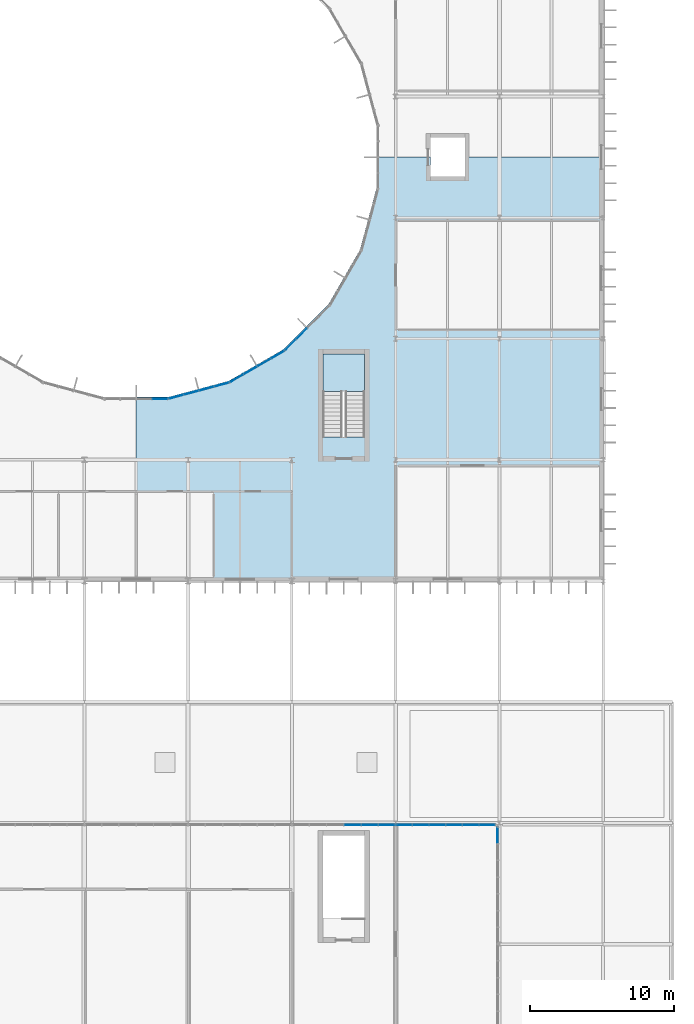
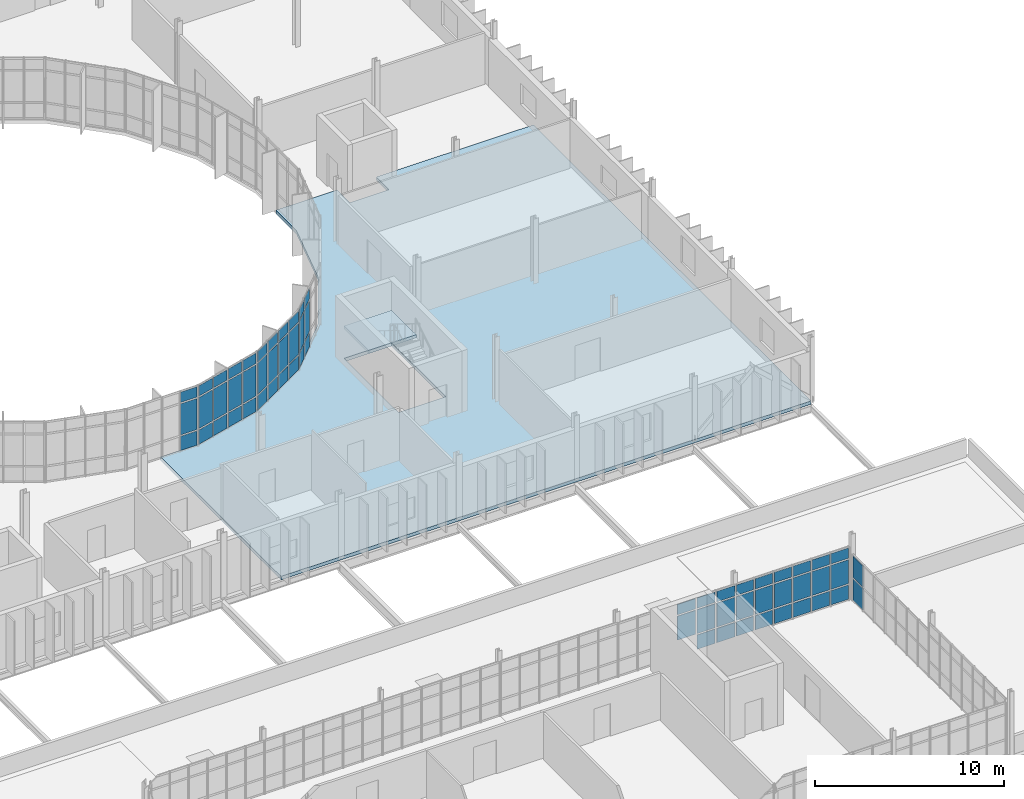
# One storey, part 81 of 119: 61 plates, 2 slabs, 8 elements without a shape of their own.
"""IFC4 building model written with IfcOpenShell, lengths in metres."""

from ifc_helpers import new_model, si_unit, direction, frame, origin, origin_2d, place, context, subcontext, project, spatial, polyline, rectangle, outline, extrude, material, layer, layer_set, type_object, element, aggregate, save


model = new_model("IFC4")

# Units and contexts
model_context = context("Model", 3, precision=1e-05, world=origin(), true_north=direction((0.0, 1.0)))
body_context = subcontext(model_context, "Body", "Model", "MODEL_VIEW")
ifc_project = project(units=[si_unit("LENGTHUNIT", "METRE"), si_unit("AREAUNIT", "SQUARE_METRE"), si_unit("VOLUMEUNIT", "CUBIC_METRE"), si_unit("PLANEANGLEUNIT", "RADIAN"), si_unit("MASSUNIT", "GRAM", prefix="KILO")], contexts=[model_context])

# Site, building, storey
site_placement = place(None, origin())
site = spatial("IfcSite", under=ifc_project, at=site_placement, CompositionType="ELEMENT")
building_placement = place(site_placement, origin())
building = spatial("IfcBuilding", under=site, at=building_placement, Name="Qelthora Terrace Specialist Clinic", CompositionType="ELEMENT")
storey_placement = place(building_placement, frame((0.0, 0.0, 4.800048828125)))
storey = spatial("IfcBuildingStorey", under=building, at=storey_placement, Name="L01", CompositionType="ELEMENT", Elevation=4.800048828125)

# Curtain wall, plates
ifc_material_1 = material(Name="Aluminium anodized bronze", Category="aluminium")
curtain_wall_type_1 = type_object("IfcCurtainWallType", Name="CW-CRTE-UPP", PredefinedType="NOTDEFINED", material=ifc_material_1)
curtain_wall_1_placement = place(storey_placement, origin())
curtain_wall_1 = element("IfcCurtainWall", 1, at=curtain_wall_1_placement, inside=storey, type_object=curtain_wall_type_1, Name="Curtain wall CW-CE-L01-18", PredefinedType="NOTDEFINED")
ifc_material_2 = material(Name="Low-E triple-silver insulating glass", Category="glass")
ifc_layer_1 = layer(ifc_material_2, 0.035888671875)
ifc_layer_set_1 = layer_set([ifc_layer_1], Name="Low-E triple-silver insulating glass")
plate_type = type_object("IfcPlateType", Name="CWP-IGU-36", PredefinedType="CURTAIN_PANEL", material=ifc_layer_set_1)
plate_1_placement = place(storey_placement, frame((127.64453125, 46.2236328125, 0.0849609375), z_axis=(0.0, 0.0, 1.0), x_axis=(1.0, 0.0, 0.0)))
plate_1 = element("IfcPlate", 2, at=plate_1_placement, type_object=plate_type, Name="CW-CE-L01-18 glazed panel 10", PredefinedType="CURTAIN_PANEL", context=body_context, shape_type="SweptSolid", body=[
    extrude(rectangle(XDim=0.996337890625, YDim=0.035888671875, at=origin_2d()), origin(), (0.0, 0.0, 1.0), 0.919921875),
])
plate_2_placement = place(storey_placement, frame((127.64453125, 46.2236328125, 1.094970703125), z_axis=(0.0, 0.0, 1.0), x_axis=(1.0, 0.0, 0.0)))
plate_2 = element("IfcPlate", 3, at=plate_2_placement, type_object=plate_type, Name="CW-CE-L01-18 glazed panel 11", PredefinedType="CURTAIN_PANEL", context=body_context, shape_type="SweptSolid", body=[
    extrude(rectangle(XDim=0.996337890625, YDim=0.035888671875, at=origin_2d()), origin(), (0.0, 0.0, 1.0), 2.0048828125),
])
plate_3_placement = place(storey_placement, frame((127.64453125, 46.2236328125, 3.18994140625), z_axis=(0.0, 0.0, 1.0), x_axis=(1.0, 0.0, 0.0)))
plate_3 = element("IfcPlate", 4, at=plate_3_placement, type_object=plate_type, Name="CW-CE-L01-18 glazed panel 12", PredefinedType="CURTAIN_PANEL", context=body_context, shape_type="SweptSolid", body=[
    extrude(rectangle(XDim=0.996337890625, YDim=0.035888671875, at=origin_2d()), origin(), (0.0, 0.0, 1.0), 0.669921875),
])
aggregate(curtain_wall_1, [plate_1, plate_2, plate_3])

curtain_wall_2_placement = place(storey_placement, origin())
curtain_wall_2 = element("IfcCurtainWall", 5, at=curtain_wall_2_placement, inside=storey, type_object=curtain_wall_type_1, Name="Curtain wall CW-CE-L01-19", PredefinedType="NOTDEFINED")
plate_4_placement = place(storey_placement, frame((128.75341796875, 46.36962890625, 0.0849609375), z_axis=(0.0, 0.0, 1.0), x_axis=(0.965925826289, 0.258819045103, 0.0)))
plate_4 = element("IfcPlate", 6, at=plate_4_placement, type_object=plate_type, Name="CW-CE-L01-19 glazed panel 1", PredefinedType="CURTAIN_PANEL", context=body_context, shape_type="SweptSolid", body=[
    extrude(rectangle(XDim=0.996337890625, YDim=0.035888671875, at=origin_2d()), origin(), (0.0, 0.0, 1.0), 0.919921875),
])
plate_5_placement = place(storey_placement, frame((128.75341796875, 46.36962890625, 1.094970703125), z_axis=(0.0, 0.0, 1.0), x_axis=(0.965925826289, 0.258819045103, 0.0)))
plate_5 = element("IfcPlate", 7, at=plate_5_placement, type_object=plate_type, Name="CW-CE-L01-19 glazed panel 2", PredefinedType="CURTAIN_PANEL", context=body_context, shape_type="SweptSolid", body=[
    extrude(rectangle(XDim=0.996337890625, YDim=0.035888671875, at=origin_2d()), origin(), (0.0, 0.0, 1.0), 2.0048828125),
])
plate_6_placement = place(storey_placement, frame((128.75341796875, 46.36962890625, 3.18994140625), z_axis=(0.0, 0.0, 1.0), x_axis=(0.965925826289, 0.258819045103, 0.0)))
plate_6 = element("IfcPlate", 8, at=plate_6_placement, type_object=plate_type, Name="CW-CE-L01-19 glazed panel 3", PredefinedType="CURTAIN_PANEL", context=body_context, shape_type="SweptSolid", body=[
    extrude(rectangle(XDim=0.996337890625, YDim=0.035888671875, at=origin_2d()), origin(), (0.0, 0.0, 1.0), 0.669921875),
])
plate_7_placement = place(storey_placement, frame((129.8125, 46.653564453125, 0.0849609375), z_axis=(0.0, 0.0, 1.0), x_axis=(0.965925826289, 0.258819045103, 0.0)))
plate_7 = element("IfcPlate", 9, at=plate_7_placement, type_object=plate_type, Name="CW-CE-L01-19 glazed panel 4", PredefinedType="CURTAIN_PANEL", context=body_context, shape_type="SweptSolid", body=[
    extrude(rectangle(XDim=0.996337890625, YDim=0.035888671875, at=origin_2d()), origin(), (0.0, 0.0, 1.0), 0.919921875),
])
plate_8_placement = place(storey_placement, frame((129.8125, 46.653564453125, 1.094970703125), z_axis=(0.0, 0.0, 1.0), x_axis=(0.965925826289, 0.258819045103, 0.0)))
plate_8 = element("IfcPlate", 10, at=plate_8_placement, type_object=plate_type, Name="CW-CE-L01-19 glazed panel 5", PredefinedType="CURTAIN_PANEL", context=body_context, shape_type="SweptSolid", body=[
    extrude(rectangle(XDim=0.996337890625, YDim=0.035888671875, at=origin_2d()), origin(), (0.0, 0.0, 1.0), 2.0048828125),
])
plate_9_placement = place(storey_placement, frame((129.8125, 46.653564453125, 3.18994140625), z_axis=(0.0, 0.0, 1.0), x_axis=(0.965925826289, 0.258819045103, 0.0)))
plate_9 = element("IfcPlate", 11, at=plate_9_placement, type_object=plate_type, Name="CW-CE-L01-19 glazed panel 6", PredefinedType="CURTAIN_PANEL", context=body_context, shape_type="SweptSolid", body=[
    extrude(rectangle(XDim=0.996337890625, YDim=0.035888671875, at=origin_2d()), origin(), (0.0, 0.0, 1.0), 0.669921875),
])
plate_10_placement = place(storey_placement, frame((130.87158203125, 46.937255859375, 0.0849609375), z_axis=(0.0, 0.0, 1.0), x_axis=(0.965925826289, 0.258819045103, 0.0)))
plate_10 = element("IfcPlate", 12, at=plate_10_placement, type_object=plate_type, Name="CW-CE-L01-19 glazed panel 7", PredefinedType="CURTAIN_PANEL", context=body_context, shape_type="SweptSolid", body=[
    extrude(rectangle(XDim=0.996337890625, YDim=0.035888671875, at=origin_2d()), origin(), (0.0, 0.0, 1.0), 0.919921875),
])
plate_11_placement = place(storey_placement, frame((130.87158203125, 46.937255859375, 1.094970703125), z_axis=(0.0, 0.0, 1.0), x_axis=(0.965925826289, 0.258819045103, 0.0)))
plate_11 = element("IfcPlate", 13, at=plate_11_placement, type_object=plate_type, Name="CW-CE-L01-19 glazed panel 8", PredefinedType="CURTAIN_PANEL", context=body_context, shape_type="SweptSolid", body=[
    extrude(rectangle(XDim=0.996337890625, YDim=0.035888671875, at=origin_2d()), origin(), (0.0, 0.0, 1.0), 2.0048828125),
])
plate_12_placement = place(storey_placement, frame((130.87158203125, 46.937255859375, 3.18994140625), z_axis=(0.0, 0.0, 1.0), x_axis=(0.965925826289, 0.258819045103, 0.0)))
plate_12 = element("IfcPlate", 14, at=plate_12_placement, type_object=plate_type, Name="CW-CE-L01-19 glazed panel 9", PredefinedType="CURTAIN_PANEL", context=body_context, shape_type="SweptSolid", body=[
    extrude(rectangle(XDim=0.996337890625, YDim=0.035888671875, at=origin_2d()), origin(), (0.0, 0.0, 1.0), 0.669921875),
])
plate_13_placement = place(storey_placement, frame((131.9306640625, 47.220947265625, 0.0849609375), z_axis=(0.0, 0.0, 1.0), x_axis=(0.965925826289, 0.258819045103, 0.0)))
plate_13 = element("IfcPlate", 15, at=plate_13_placement, type_object=plate_type, Name="CW-CE-L01-19 glazed panel 10", PredefinedType="CURTAIN_PANEL", context=body_context, shape_type="SweptSolid", body=[
    extrude(rectangle(XDim=0.996337890625, YDim=0.035888671875, at=origin_2d()), origin(), (0.0, 0.0, 1.0), 0.919921875),
])
plate_14_placement = place(storey_placement, frame((131.9306640625, 47.220947265625, 1.094970703125), z_axis=(0.0, 0.0, 1.0), x_axis=(0.965925826289, 0.258819045103, 0.0)))
plate_14 = element("IfcPlate", 16, at=plate_14_placement, type_object=plate_type, Name="CW-CE-L01-19 glazed panel 11", PredefinedType="CURTAIN_PANEL", context=body_context, shape_type="SweptSolid", body=[
    extrude(rectangle(XDim=0.996337890625, YDim=0.035888671875, at=origin_2d()), origin(), (0.0, 0.0, 1.0), 2.0048828125),
])
plate_15_placement = place(storey_placement, frame((131.9306640625, 47.220947265625, 3.18994140625), z_axis=(0.0, 0.0, 1.0), x_axis=(0.965925826289, 0.258819045103, 0.0)))
plate_15 = element("IfcPlate", 17, at=plate_15_placement, type_object=plate_type, Name="CW-CE-L01-19 glazed panel 12", PredefinedType="CURTAIN_PANEL", context=body_context, shape_type="SweptSolid", body=[
    extrude(rectangle(XDim=0.996337890625, YDim=0.035888671875, at=origin_2d()), origin(), (0.0, 0.0, 1.0), 0.669921875),
])
aggregate(curtain_wall_2, [plate_4, plate_5, plate_6, plate_7, plate_8, plate_9, plate_10, plate_11, plate_12, plate_13, plate_14, plate_15])

curtain_wall_3_placement = place(storey_placement, origin())
curtain_wall_3 = element("IfcCurtainWall", 18, at=curtain_wall_3_placement, inside=storey, type_object=curtain_wall_type_1, Name="Curtain wall CW-CE-L01-20", PredefinedType="NOTDEFINED")
plate_16_placement = place(storey_placement, frame((132.9638671875, 47.64892578125, 0.0849609375), z_axis=(0.0, 0.0, 1.0), x_axis=(0.866025403784, 0.5, 0.0)))
plate_16 = element("IfcPlate", 19, at=plate_16_placement, type_object=plate_type, Name="CW-CE-L01-20 glazed panel 1", PredefinedType="CURTAIN_PANEL", context=body_context, shape_type="SweptSolid", body=[
    extrude(rectangle(XDim=0.996337890625, YDim=0.035888671875, at=origin_2d()), origin(), (0.0, 0.0, 1.0), 0.919921875),
])
plate_17_placement = place(storey_placement, frame((132.9638671875, 47.64892578125, 1.094970703125), z_axis=(0.0, 0.0, 1.0), x_axis=(0.866025403784, 0.5, 0.0)))
plate_17 = element("IfcPlate", 20, at=plate_17_placement, type_object=plate_type, Name="CW-CE-L01-20 glazed panel 2", PredefinedType="CURTAIN_PANEL", context=body_context, shape_type="SweptSolid", body=[
    extrude(rectangle(XDim=0.996337890625, YDim=0.035888671875, at=origin_2d()), origin(), (0.0, 0.0, 1.0), 2.0048828125),
])
plate_18_placement = place(storey_placement, frame((132.9638671875, 47.64892578125, 3.18994140625), z_axis=(0.0, 0.0, 1.0), x_axis=(0.866025403784, 0.5, 0.0)))
plate_18 = element("IfcPlate", 21, at=plate_18_placement, type_object=plate_type, Name="CW-CE-L01-20 glazed panel 3", PredefinedType="CURTAIN_PANEL", context=body_context, shape_type="SweptSolid", body=[
    extrude(rectangle(XDim=0.996337890625, YDim=0.035888671875, at=origin_2d()), origin(), (0.0, 0.0, 1.0), 0.669921875),
])
plate_19_placement = place(storey_placement, frame((133.913330078125, 48.197265625, 0.0849609375), z_axis=(0.0, 0.0, 1.0), x_axis=(0.866025403784, 0.5, 0.0)))
plate_19 = element("IfcPlate", 22, at=plate_19_placement, type_object=plate_type, Name="CW-CE-L01-20 glazed panel 4", PredefinedType="CURTAIN_PANEL", context=body_context, shape_type="SweptSolid", body=[
    extrude(rectangle(XDim=0.996337890625, YDim=0.035888671875, at=origin_2d()), origin(), (0.0, 0.0, 1.0), 0.919921875),
])
plate_20_placement = place(storey_placement, frame((133.913330078125, 48.197265625, 1.094970703125), z_axis=(0.0, 0.0, 1.0), x_axis=(0.866025403784, 0.5, 0.0)))
plate_20 = element("IfcPlate", 23, at=plate_20_placement, type_object=plate_type, Name="CW-CE-L01-20 glazed panel 5", PredefinedType="CURTAIN_PANEL", context=body_context, shape_type="SweptSolid", body=[
    extrude(rectangle(XDim=0.996337890625, YDim=0.035888671875, at=origin_2d()), origin(), (0.0, 0.0, 1.0), 2.0048828125),
])
plate_21_placement = place(storey_placement, frame((133.913330078125, 48.197265625, 3.18994140625), z_axis=(0.0, 0.0, 1.0), x_axis=(0.866025403784, 0.5, 0.0)))
plate_21 = element("IfcPlate", 24, at=plate_21_placement, type_object=plate_type, Name="CW-CE-L01-20 glazed panel 6", PredefinedType="CURTAIN_PANEL", context=body_context, shape_type="SweptSolid", body=[
    extrude(rectangle(XDim=0.996337890625, YDim=0.035888671875, at=origin_2d()), origin(), (0.0, 0.0, 1.0), 0.669921875),
])
plate_22_placement = place(storey_placement, frame((134.86279296875, 48.745361328125, 0.0849609375), z_axis=(0.0, 0.0, 1.0), x_axis=(0.866025403784, 0.5, 0.0)))
plate_22 = element("IfcPlate", 25, at=plate_22_placement, type_object=plate_type, Name="CW-CE-L01-20 glazed panel 7", PredefinedType="CURTAIN_PANEL", context=body_context, shape_type="SweptSolid", body=[
    extrude(rectangle(XDim=0.996337890625, YDim=0.035888671875, at=origin_2d()), origin(), (0.0, 0.0, 1.0), 0.919921875),
])
plate_23_placement = place(storey_placement, frame((134.86279296875, 48.745361328125, 1.094970703125), z_axis=(0.0, 0.0, 1.0), x_axis=(0.866025403784, 0.5, 0.0)))
plate_23 = element("IfcPlate", 26, at=plate_23_placement, type_object=plate_type, Name="CW-CE-L01-20 glazed panel 8", PredefinedType="CURTAIN_PANEL", context=body_context, shape_type="SweptSolid", body=[
    extrude(rectangle(XDim=0.996337890625, YDim=0.035888671875, at=origin_2d()), origin(), (0.0, 0.0, 1.0), 2.0048828125),
])
plate_24_placement = place(storey_placement, frame((134.86279296875, 48.745361328125, 3.18994140625), z_axis=(0.0, 0.0, 1.0), x_axis=(0.866025403784, 0.5, 0.0)))
plate_24 = element("IfcPlate", 27, at=plate_24_placement, type_object=plate_type, Name="CW-CE-L01-20 glazed panel 9", PredefinedType="CURTAIN_PANEL", context=body_context, shape_type="SweptSolid", body=[
    extrude(rectangle(XDim=0.996337890625, YDim=0.035888671875, at=origin_2d()), origin(), (0.0, 0.0, 1.0), 0.669921875),
])
plate_25_placement = place(storey_placement, frame((135.8125, 49.293701171875, 0.0849609375), z_axis=(0.0, 0.0, 1.0), x_axis=(0.866025403784, 0.5, 0.0)))
plate_25 = element("IfcPlate", 28, at=plate_25_placement, type_object=plate_type, Name="CW-CE-L01-20 glazed panel 10", PredefinedType="CURTAIN_PANEL", context=body_context, shape_type="SweptSolid", body=[
    extrude(rectangle(XDim=0.996337890625, YDim=0.035888671875, at=origin_2d()), origin(), (0.0, 0.0, 1.0), 0.919921875),
])
plate_26_placement = place(storey_placement, frame((135.8125, 49.293701171875, 1.094970703125), z_axis=(0.0, 0.0, 1.0), x_axis=(0.866025403784, 0.5, 0.0)))
plate_26 = element("IfcPlate", 29, at=plate_26_placement, type_object=plate_type, Name="CW-CE-L01-20 glazed panel 11", PredefinedType="CURTAIN_PANEL", context=body_context, shape_type="SweptSolid", body=[
    extrude(rectangle(XDim=0.996337890625, YDim=0.035888671875, at=origin_2d()), origin(), (0.0, 0.0, 1.0), 2.0048828125),
])
plate_27_placement = place(storey_placement, frame((135.8125, 49.293701171875, 3.18994140625), z_axis=(0.0, 0.0, 1.0), x_axis=(0.866025403784, 0.5, 0.0)))
plate_27 = element("IfcPlate", 30, at=plate_27_placement, type_object=plate_type, Name="CW-CE-L01-20 glazed panel 12", PredefinedType="CURTAIN_PANEL", context=body_context, shape_type="SweptSolid", body=[
    extrude(rectangle(XDim=0.996337890625, YDim=0.035888671875, at=origin_2d()), origin(), (0.0, 0.0, 1.0), 0.669921875),
])
aggregate(curtain_wall_3, [plate_16, plate_17, plate_18, plate_19, plate_20, plate_21, plate_22, plate_23, plate_24, plate_25, plate_26, plate_27])

curtain_wall_4_placement = place(storey_placement, origin())
curtain_wall_4 = element("IfcCurtainWall", 31, at=curtain_wall_4_placement, inside=storey, type_object=curtain_wall_type_1, Name="Curtain wall CW-CE-L01-21", PredefinedType="NOTDEFINED")
plate_28_placement = place(storey_placement, frame((136.69970703125, 49.974365234375, 0.0849609375), z_axis=(0.0, 0.0, 1.0), x_axis=(0.707106781187, 0.707106781187, 0.0)))
plate_28 = element("IfcPlate", 32, at=plate_28_placement, type_object=plate_type, Name="CW-CE-L01-21 glazed panel 1", PredefinedType="CURTAIN_PANEL", context=body_context, shape_type="SweptSolid", body=[
    extrude(rectangle(XDim=0.996337890625, YDim=0.035888671875, at=origin_2d()), origin(), (0.0, 0.0, 1.0), 0.919921875),
])
plate_29_placement = place(storey_placement, frame((136.69970703125, 49.974365234375, 1.094970703125), z_axis=(0.0, 0.0, 1.0), x_axis=(0.707106781187, 0.707106781187, 0.0)))
plate_29 = element("IfcPlate", 33, at=plate_29_placement, type_object=plate_type, Name="CW-CE-L01-21 glazed panel 2", PredefinedType="CURTAIN_PANEL", context=body_context, shape_type="SweptSolid", body=[
    extrude(rectangle(XDim=0.996337890625, YDim=0.035888671875, at=origin_2d()), origin(), (0.0, 0.0, 1.0), 2.0048828125),
])
plate_30_placement = place(storey_placement, frame((136.69970703125, 49.974365234375, 3.18994140625), z_axis=(0.0, 0.0, 1.0), x_axis=(0.707106781187, 0.707106781187, 0.0)))
plate_30 = element("IfcPlate", 34, at=plate_30_placement, type_object=plate_type, Name="CW-CE-L01-21 glazed panel 3", PredefinedType="CURTAIN_PANEL", context=body_context, shape_type="SweptSolid", body=[
    extrude(rectangle(XDim=0.996337890625, YDim=0.035888671875, at=origin_2d()), origin(), (0.0, 0.0, 1.0), 0.669921875),
])
plate_31_placement = place(storey_placement, frame((137.474853515625, 50.749755859375, 0.0849609375), z_axis=(0.0, 0.0, 1.0), x_axis=(0.707106781187, 0.707106781187, 0.0)))
plate_31 = element("IfcPlate", 35, at=plate_31_placement, type_object=plate_type, Name="CW-CE-L01-21 glazed panel 4", PredefinedType="CURTAIN_PANEL", context=body_context, shape_type="SweptSolid", body=[
    extrude(rectangle(XDim=0.996337890625, YDim=0.035888671875, at=origin_2d()), origin(), (0.0, 0.0, 1.0), 0.919921875),
])
plate_32_placement = place(storey_placement, frame((137.474853515625, 50.749755859375, 1.094970703125), z_axis=(0.0, 0.0, 1.0), x_axis=(0.707106781187, 0.707106781187, 0.0)))
plate_32 = element("IfcPlate", 36, at=plate_32_placement, type_object=plate_type, Name="CW-CE-L01-21 glazed panel 5", PredefinedType="CURTAIN_PANEL", context=body_context, shape_type="SweptSolid", body=[
    extrude(rectangle(XDim=0.996337890625, YDim=0.035888671875, at=origin_2d()), origin(), (0.0, 0.0, 1.0), 2.0048828125),
])
plate_33_placement = place(storey_placement, frame((137.474853515625, 50.749755859375, 3.18994140625), z_axis=(0.0, 0.0, 1.0), x_axis=(0.707106781187, 0.707106781187, 0.0)))
plate_33 = element("IfcPlate", 37, at=plate_33_placement, type_object=plate_type, Name="CW-CE-L01-21 glazed panel 6", PredefinedType="CURTAIN_PANEL", context=body_context, shape_type="SweptSolid", body=[
    extrude(rectangle(XDim=0.996337890625, YDim=0.035888671875, at=origin_2d()), origin(), (0.0, 0.0, 1.0), 0.669921875),
])
aggregate(curtain_wall_4, [plate_28, plate_29, plate_30, plate_31, plate_32, plate_33])

curtain_wall_type_2 = type_object("IfcCurtainWallType", Name="CW-CONS-UP", PredefinedType="NOTDEFINED", material=ifc_material_1)
curtain_wall_5_placement = place(storey_placement, origin())
curtain_wall_5 = element("IfcCurtainWall", 38, at=curtain_wall_5_placement, inside=storey, type_object=curtain_wall_type_2, Name="Curtain wall CW-L01-244", PredefinedType="NOTDEFINED")
plate_34_placement = place(storey_placement, frame((141.0, 16.679931640625, 1.094970703125), z_axis=(0.0, 0.0, 1.0), x_axis=(1.0, 0.0, 0.0)))
plate_34 = element("IfcPlate", 39, at=plate_34_placement, type_object=plate_type, Name="CW-L01-244 glazed panel 11", PredefinedType="CURTAIN_PANEL", context=body_context, shape_type="SweptSolid", body=[
    extrude(rectangle(XDim=1.10009765625, YDim=0.035888671875, at=origin_2d()), origin(), (0.0, 0.0, 1.0), 1.5419921875),
])
plate_35_placement = place(storey_placement, frame((141.0, 16.679931640625, 2.72705078125), z_axis=(0.0, 0.0, 1.0), x_axis=(1.0, 0.0, 0.0)))
plate_35 = element("IfcPlate", 40, at=plate_35_placement, type_object=plate_type, Name="CW-L01-244 glazed panel 12", PredefinedType="CURTAIN_PANEL", context=body_context, shape_type="SweptSolid", body=[
    extrude(rectangle(XDim=1.10009765625, YDim=0.035888671875, at=origin_2d()), origin(), (0.0, 0.0, 1.0), 0.669921875),
])
plate_36_placement = place(storey_placement, frame((142.199951171875, 16.679931640625, 0.0849609375), z_axis=(0.0, 0.0, 1.0), x_axis=(1.0, 0.0, 0.0)))
plate_36 = element("IfcPlate", 41, at=plate_36_placement, type_object=plate_type, Name="CW-L01-244 glazed panel 13", PredefinedType="CURTAIN_PANEL", context=body_context, shape_type="SweptSolid", body=[
    extrude(rectangle(XDim=1.10009765625, YDim=0.035888671875, at=origin_2d()), origin(), (0.0, 0.0, 1.0), 0.919921875),
])
plate_37_placement = place(storey_placement, frame((142.199951171875, 16.679931640625, 1.094970703125), z_axis=(0.0, 0.0, 1.0), x_axis=(1.0, 0.0, 0.0)))
plate_37 = element("IfcPlate", 42, at=plate_37_placement, type_object=plate_type, Name="CW-L01-244 glazed panel 14", PredefinedType="CURTAIN_PANEL", context=body_context, shape_type="SweptSolid", body=[
    extrude(rectangle(XDim=1.10009765625, YDim=0.035888671875, at=origin_2d()), origin(), (0.0, 0.0, 1.0), 1.5419921875),
])
plate_38_placement = place(storey_placement, frame((142.199951171875, 16.679931640625, 2.72705078125), z_axis=(0.0, 0.0, 1.0), x_axis=(1.0, 0.0, 0.0)))
plate_38 = element("IfcPlate", 43, at=plate_38_placement, type_object=plate_type, Name="CW-L01-244 glazed panel 15", PredefinedType="CURTAIN_PANEL", context=body_context, shape_type="SweptSolid", body=[
    extrude(rectangle(XDim=1.10009765625, YDim=0.035888671875, at=origin_2d()), origin(), (0.0, 0.0, 1.0), 0.669921875),
])
plate_39_placement = place(storey_placement, frame((143.39990234375, 16.679931640625, 0.0849609375), z_axis=(0.0, 0.0, 1.0), x_axis=(1.0, 0.0, 0.0)))
plate_39 = element("IfcPlate", 44, at=plate_39_placement, type_object=plate_type, Name="CW-L01-244 glazed panel 16", PredefinedType="CURTAIN_PANEL", context=body_context, shape_type="SweptSolid", body=[
    extrude(rectangle(XDim=1.10009765625, YDim=0.035888671875, at=origin_2d()), origin(), (0.0, 0.0, 1.0), 0.919921875),
])
plate_40_placement = place(storey_placement, frame((143.39990234375, 16.679931640625, 1.094970703125), z_axis=(0.0, 0.0, 1.0), x_axis=(1.0, 0.0, 0.0)))
plate_40 = element("IfcPlate", 45, at=plate_40_placement, type_object=plate_type, Name="CW-L01-244 glazed panel 17", PredefinedType="CURTAIN_PANEL", context=body_context, shape_type="SweptSolid", body=[
    extrude(rectangle(XDim=1.10009765625, YDim=0.035888671875, at=origin_2d()), origin(), (0.0, 0.0, 1.0), 1.5419921875),
])
plate_41_placement = place(storey_placement, frame((143.39990234375, 16.679931640625, 2.72705078125), z_axis=(0.0, 0.0, 1.0), x_axis=(1.0, 0.0, 0.0)))
plate_41 = element("IfcPlate", 46, at=plate_41_placement, type_object=plate_type, Name="CW-L01-244 glazed panel 18", PredefinedType="CURTAIN_PANEL", context=body_context, shape_type="SweptSolid", body=[
    extrude(rectangle(XDim=1.10009765625, YDim=0.035888671875, at=origin_2d()), origin(), (0.0, 0.0, 1.0), 0.669921875),
])
aggregate(curtain_wall_5, [plate_34, plate_35, plate_36, plate_37, plate_38, plate_39, plate_40, plate_41])

curtain_wall_6_placement = place(storey_placement, origin())
curtain_wall_6 = element("IfcCurtainWall", 47, at=curtain_wall_6_placement, inside=storey, type_object=curtain_wall_type_2, Name="Curtain wall CW-L01-245", PredefinedType="NOTDEFINED")
plate_42_placement = place(storey_placement, frame((144.578369140625, 16.679931640625, 0.0849609375), z_axis=(0.0, 0.0, 1.0), x_axis=(1.0, 0.0, 0.0)))
plate_42 = element("IfcPlate", 48, at=plate_42_placement, type_object=plate_type, Name="CW-L01-245 glazed panel 1", PredefinedType="CURTAIN_PANEL", context=body_context, shape_type="SweptSolid", body=[
    extrude(rectangle(XDim=1.056640625, YDim=0.035888671875, at=origin_2d()), origin(), (0.0, 0.0, 1.0), 0.919921875),
])
plate_43_placement = place(storey_placement, frame((144.578369140625, 16.679931640625, 1.094970703125), z_axis=(0.0, 0.0, 1.0), x_axis=(1.0, 0.0, 0.0)))
plate_43 = element("IfcPlate", 49, at=plate_43_placement, type_object=plate_type, Name="CW-L01-245 glazed panel 2", PredefinedType="CURTAIN_PANEL", context=body_context, shape_type="SweptSolid", body=[
    extrude(rectangle(XDim=1.056640625, YDim=0.035888671875, at=origin_2d()), origin(), (0.0, 0.0, 1.0), 1.5419921875),
])
plate_44_placement = place(storey_placement, frame((144.578369140625, 16.679931640625, 2.72705078125), z_axis=(0.0, 0.0, 1.0), x_axis=(1.0, 0.0, 0.0)))
plate_44 = element("IfcPlate", 50, at=plate_44_placement, type_object=plate_type, Name="CW-L01-245 glazed panel 3", PredefinedType="CURTAIN_PANEL", context=body_context, shape_type="SweptSolid", body=[
    extrude(rectangle(XDim=1.056640625, YDim=0.035888671875, at=origin_2d()), origin(), (0.0, 0.0, 1.0), 0.669921875),
])
plate_45_placement = place(storey_placement, frame((145.735107421875, 16.679931640625, 0.0849609375), z_axis=(0.0, 0.0, 1.0), x_axis=(1.0, 0.0, 0.0)))
plate_45 = element("IfcPlate", 51, at=plate_45_placement, type_object=plate_type, Name="CW-L01-245 glazed panel 4", PredefinedType="CURTAIN_PANEL", context=body_context, shape_type="SweptSolid", body=[
    extrude(rectangle(XDim=1.056640625, YDim=0.035888671875, at=origin_2d()), origin(), (0.0, 0.0, 1.0), 0.919921875),
])
plate_46_placement = place(storey_placement, frame((145.735107421875, 16.679931640625, 1.094970703125), z_axis=(0.0, 0.0, 1.0), x_axis=(1.0, 0.0, 0.0)))
plate_46 = element("IfcPlate", 52, at=plate_46_placement, type_object=plate_type, Name="CW-L01-245 glazed panel 5", PredefinedType="CURTAIN_PANEL", context=body_context, shape_type="SweptSolid", body=[
    extrude(rectangle(XDim=1.056640625, YDim=0.035888671875, at=origin_2d()), origin(), (0.0, 0.0, 1.0), 1.5419921875),
])
plate_47_placement = place(storey_placement, frame((145.735107421875, 16.679931640625, 2.72705078125), z_axis=(0.0, 0.0, 1.0), x_axis=(1.0, 0.0, 0.0)))
plate_47 = element("IfcPlate", 53, at=plate_47_placement, type_object=plate_type, Name="CW-L01-245 glazed panel 6", PredefinedType="CURTAIN_PANEL", context=body_context, shape_type="SweptSolid", body=[
    extrude(rectangle(XDim=1.056640625, YDim=0.035888671875, at=origin_2d()), origin(), (0.0, 0.0, 1.0), 0.669921875),
])
plate_48_placement = place(storey_placement, frame((146.8916015625, 16.679931640625, 0.0849609375), z_axis=(0.0, 0.0, 1.0), x_axis=(1.0, 0.0, 0.0)))
plate_48 = element("IfcPlate", 54, at=plate_48_placement, type_object=plate_type, Name="CW-L01-245 glazed panel 7", PredefinedType="CURTAIN_PANEL", context=body_context, shape_type="SweptSolid", body=[
    extrude(rectangle(XDim=1.056640625, YDim=0.035888671875, at=origin_2d()), origin(), (0.0, 0.0, 1.0), 0.919921875),
])
plate_49_placement = place(storey_placement, frame((146.8916015625, 16.679931640625, 1.094970703125), z_axis=(0.0, 0.0, 1.0), x_axis=(1.0, 0.0, 0.0)))
plate_49 = element("IfcPlate", 55, at=plate_49_placement, type_object=plate_type, Name="CW-L01-245 glazed panel 8", PredefinedType="CURTAIN_PANEL", context=body_context, shape_type="SweptSolid", body=[
    extrude(rectangle(XDim=1.056640625, YDim=0.035888671875, at=origin_2d()), origin(), (0.0, 0.0, 1.0), 1.5419921875),
])
plate_50_placement = place(storey_placement, frame((146.8916015625, 16.679931640625, 2.72705078125), z_axis=(0.0, 0.0, 1.0), x_axis=(1.0, 0.0, 0.0)))
plate_50 = element("IfcPlate", 56, at=plate_50_placement, type_object=plate_type, Name="CW-L01-245 glazed panel 9", PredefinedType="CURTAIN_PANEL", context=body_context, shape_type="SweptSolid", body=[
    extrude(rectangle(XDim=1.056640625, YDim=0.035888671875, at=origin_2d()), origin(), (0.0, 0.0, 1.0), 0.669921875),
])
plate_51_placement = place(storey_placement, frame((148.04833984375, 16.679931640625, 0.0849609375), z_axis=(0.0, 0.0, 1.0), x_axis=(1.0, 0.0, 0.0)))
plate_51 = element("IfcPlate", 57, at=plate_51_placement, type_object=plate_type, Name="CW-L01-245 glazed panel 10", PredefinedType="CURTAIN_PANEL", context=body_context, shape_type="SweptSolid", body=[
    extrude(rectangle(XDim=1.056640625, YDim=0.035888671875, at=origin_2d()), origin(), (0.0, 0.0, 1.0), 0.919921875),
])
plate_52_placement = place(storey_placement, frame((148.04833984375, 16.679931640625, 1.094970703125), z_axis=(0.0, 0.0, 1.0), x_axis=(1.0, 0.0, 0.0)))
plate_52 = element("IfcPlate", 58, at=plate_52_placement, type_object=plate_type, Name="CW-L01-245 glazed panel 11", PredefinedType="CURTAIN_PANEL", context=body_context, shape_type="SweptSolid", body=[
    extrude(rectangle(XDim=1.056640625, YDim=0.035888671875, at=origin_2d()), origin(), (0.0, 0.0, 1.0), 1.5419921875),
])
plate_53_placement = place(storey_placement, frame((148.04833984375, 16.679931640625, 2.72705078125), z_axis=(0.0, 0.0, 1.0), x_axis=(1.0, 0.0, 0.0)))
plate_53 = element("IfcPlate", 59, at=plate_53_placement, type_object=plate_type, Name="CW-L01-245 glazed panel 12", PredefinedType="CURTAIN_PANEL", context=body_context, shape_type="SweptSolid", body=[
    extrude(rectangle(XDim=1.056640625, YDim=0.035888671875, at=origin_2d()), origin(), (0.0, 0.0, 1.0), 0.669921875),
])
plate_54_placement = place(storey_placement, frame((149.205078125, 16.679931640625, 0.0849609375), z_axis=(0.0, 0.0, 1.0), x_axis=(1.0, 0.0, 0.0)))
plate_54 = element("IfcPlate", 60, at=plate_54_placement, type_object=plate_type, Name="CW-L01-245 glazed panel 13", PredefinedType="CURTAIN_PANEL", context=body_context, shape_type="SweptSolid", body=[
    extrude(rectangle(XDim=1.056640625, YDim=0.035888671875, at=origin_2d()), origin(), (0.0, 0.0, 1.0), 0.919921875),
])
plate_55_placement = place(storey_placement, frame((149.205078125, 16.679931640625, 1.094970703125), z_axis=(0.0, 0.0, 1.0), x_axis=(1.0, 0.0, 0.0)))
plate_55 = element("IfcPlate", 61, at=plate_55_placement, type_object=plate_type, Name="CW-L01-245 glazed panel 14", PredefinedType="CURTAIN_PANEL", context=body_context, shape_type="SweptSolid", body=[
    extrude(rectangle(XDim=1.056640625, YDim=0.035888671875, at=origin_2d()), origin(), (0.0, 0.0, 1.0), 1.5419921875),
])
plate_56_placement = place(storey_placement, frame((149.205078125, 16.679931640625, 2.72705078125), z_axis=(0.0, 0.0, 1.0), x_axis=(1.0, 0.0, 0.0)))
plate_56 = element("IfcPlate", 62, at=plate_56_placement, type_object=plate_type, Name="CW-L01-245 glazed panel 15", PredefinedType="CURTAIN_PANEL", context=body_context, shape_type="SweptSolid", body=[
    extrude(rectangle(XDim=1.056640625, YDim=0.035888671875, at=origin_2d()), origin(), (0.0, 0.0, 1.0), 0.669921875),
])
plate_57_placement = place(storey_placement, frame((150.361572265625, 16.679931640625, 0.0849609375), z_axis=(0.0, 0.0, 1.0), x_axis=(1.0, 0.0, 0.0)))
plate_57 = element("IfcPlate", 63, at=plate_57_placement, type_object=plate_type, Name="CW-L01-245 glazed panel 16", PredefinedType="CURTAIN_PANEL", context=body_context, shape_type="SweptSolid", body=[
    extrude(rectangle(XDim=1.056640625, YDim=0.035888671875, at=origin_2d()), origin(), (0.0, 0.0, 1.0), 0.919921875),
])
plate_58_placement = place(storey_placement, frame((150.361572265625, 16.679931640625, 1.094970703125), z_axis=(0.0, 0.0, 1.0), x_axis=(1.0, 0.0, 0.0)))
plate_58 = element("IfcPlate", 64, at=plate_58_placement, type_object=plate_type, Name="CW-L01-245 glazed panel 17", PredefinedType="CURTAIN_PANEL", context=body_context, shape_type="SweptSolid", body=[
    extrude(rectangle(XDim=1.056640625, YDim=0.035888671875, at=origin_2d()), origin(), (0.0, 0.0, 1.0), 1.5419921875),
])
plate_59_placement = place(storey_placement, frame((150.361572265625, 16.679931640625, 2.72705078125), z_axis=(0.0, 0.0, 1.0), x_axis=(1.0, 0.0, 0.0)))
plate_59 = element("IfcPlate", 65, at=plate_59_placement, type_object=plate_type, Name="CW-L01-245 glazed panel 18", PredefinedType="CURTAIN_PANEL", context=body_context, shape_type="SweptSolid", body=[
    extrude(rectangle(XDim=1.056640625, YDim=0.035888671875, at=origin_2d()), origin(), (0.0, 0.0, 1.0), 0.669921875),
])
aggregate(curtain_wall_6, [plate_42, plate_43, plate_44, plate_45, plate_46, plate_47, plate_48, plate_49, plate_50, plate_51, plate_52, plate_53, plate_54, plate_55, plate_56, plate_57, plate_58, plate_59])

curtain_wall_7_placement = place(storey_placement, origin())
curtain_wall_7 = element("IfcCurtainWall", 66, at=curtain_wall_7_placement, inside=storey, type_object=curtain_wall_type_2, Name="Curtain wall CW-L01-247", PredefinedType="NOTDEFINED")
plate_60_placement = place(storey_placement, frame((151.080078125, 15.95849609375, 0.0849609375), z_axis=(0.0, 0.0, 1.0), x_axis=(0.0, 1.0, 0.0)))
plate_60 = element("IfcPlate", 67, at=plate_60_placement, type_object=plate_type, Name="CW-L01-247 glazed panel 13", PredefinedType="CURTAIN_PANEL", context=body_context, shape_type="SweptSolid", body=[
    extrude(rectangle(XDim=1.062744140625, YDim=0.035888671875, at=origin_2d()), origin(), (0.0, 0.0, 1.0), 1.37744140625),
])
plate_61_placement = place(storey_placement, frame((151.080078125, 15.95849609375, 1.552490234375), z_axis=(0.0, 0.0, 1.0), x_axis=(0.0, 1.0, 0.0)))
plate_61 = element("IfcPlate", 68, at=plate_61_placement, type_object=plate_type, Name="CW-L01-247 glazed panel 14", PredefinedType="CURTAIN_PANEL", context=body_context, shape_type="SweptSolid", body=[
    extrude(rectangle(XDim=1.062744140625, YDim=0.035888671875, at=origin_2d()), origin(), (0.0, 0.0, 1.0), 1.37744140625),
])
aggregate(curtain_wall_7, [plate_60, plate_61])

# Slab
ifc_material_3 = material(Name="Concrete C30/37", Category="concrete")
ifc_layer_2 = layer(ifc_material_3, 0.219970703125)
ifc_layer_set_2 = layer_set([ifc_layer_2], Name="Concrete C30/37")
slab_type_1 = type_object("IfcSlabType", Name="SLB-FLR-220-C30", PredefinedType="FLOOR", material=ifc_layer_set_2)
slab_1_placement = place(storey_placement, frame((0.0, 0.0, -0.219970703125)))
element("IfcSlab", 69, at=slab_1_placement, inside=storey, type_object=slab_type_1, Name="L01 V4 slab SLB-L01-V4-2A", PredefinedType="FLOOR", context=body_context, shape_type="SweptSolid", body=[
    extrude(outline(polyline([(158.39990234375, 33.60009765625), (126.0, 33.60009765625), (126.0, 46.34375), (128.19287109375, 46.34375), (132.42919921875, 47.478759765625), (136.227294921875, 49.671630859375), (139.328369140625, 52.772705078125), (141.521240234375, 56.57080078125), (142.65625, 60.80712890625), (142.65625, 63.0), (146.39990234375, 63.0), (146.39990234375, 61.64990234375), (148.800048828125, 61.64990234375), (148.800048828125, 63.0), (158.39990234375, 63.0), (158.39990234375, 33.60009765625)]), holes=[polyline([(141.85009765625, 43.6005859375), (141.85009765625, 49.35009765625), (138.949951171875, 49.35009765625), (138.949951171875, 43.6005859375), (141.85009765625, 43.6005859375)])]), origin(), (0.0, 0.0, 1.0), 0.219970703125),
])

# Stair, slab
stair_type = type_object("IfcStairType", Name="STR-175-285", PredefinedType="HALF_TURN_STAIR", material=ifc_material_3)
stair_placement = place(storey_placement, origin())
stair = element("IfcStair", 70, at=stair_placement, inside=storey, type_object=stair_type, Name="L01 Enclosed Exit Stair ST-06", PredefinedType="HALF_TURN_STAIR")
ifc_layer_3 = layer(ifc_material_3, 0.199951171875)
ifc_layer_set_3 = layer_set([ifc_layer_3], Name="Concrete C30/37")
slab_type_2 = type_object("IfcSlabType", Name="SLB-LAND-200-C30", PredefinedType="LANDING", material=ifc_layer_set_3)
slab_2_placement = place(storey_placement, frame((0.0, 0.0, 1.89990234375)))
slab_2 = element("IfcSlab", 71, at=slab_2_placement, type_object=slab_type_2, Name="ST-06 landing 1", PredefinedType="LANDING", context=body_context, shape_type="SweptSolid", body=[
    extrude(outline(polyline([(141.85009765625, 46.735107421875), (141.85009765625, 49.35009765625), (138.949951171875, 49.35009765625), (138.949951171875, 46.735107421875), (141.85009765625, 46.735107421875)])), origin(), (0.0, 0.0, 1.0), 0.199951171875),
])
aggregate(stair, [slab_2])

save(model, "model.ifc")
